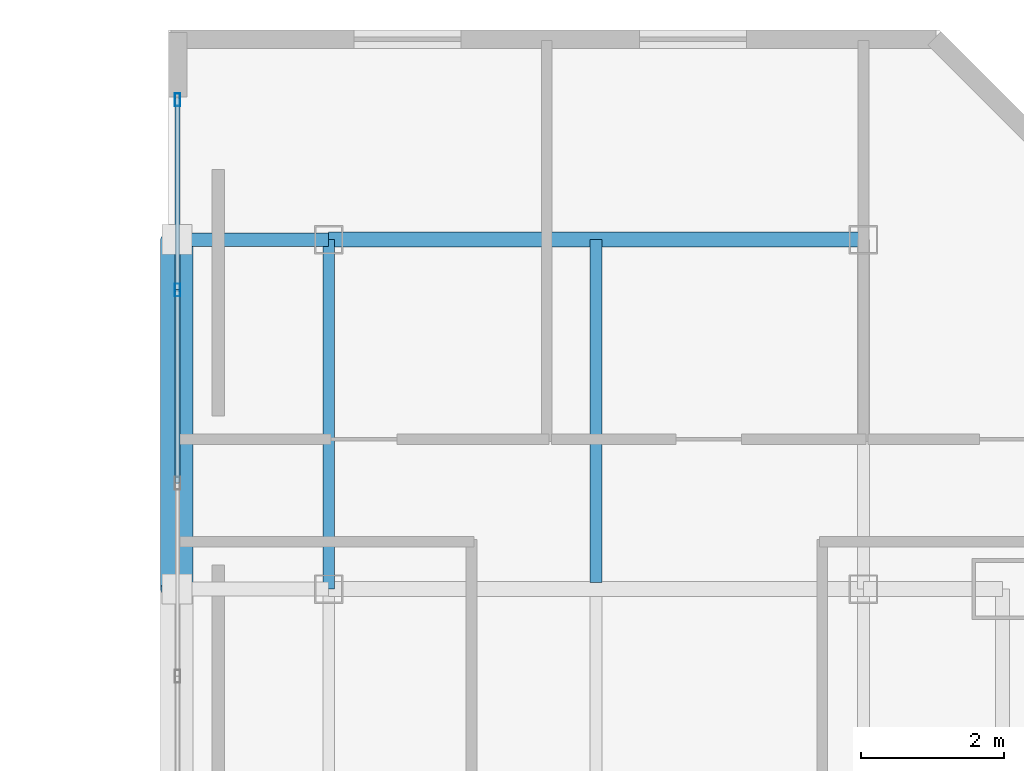
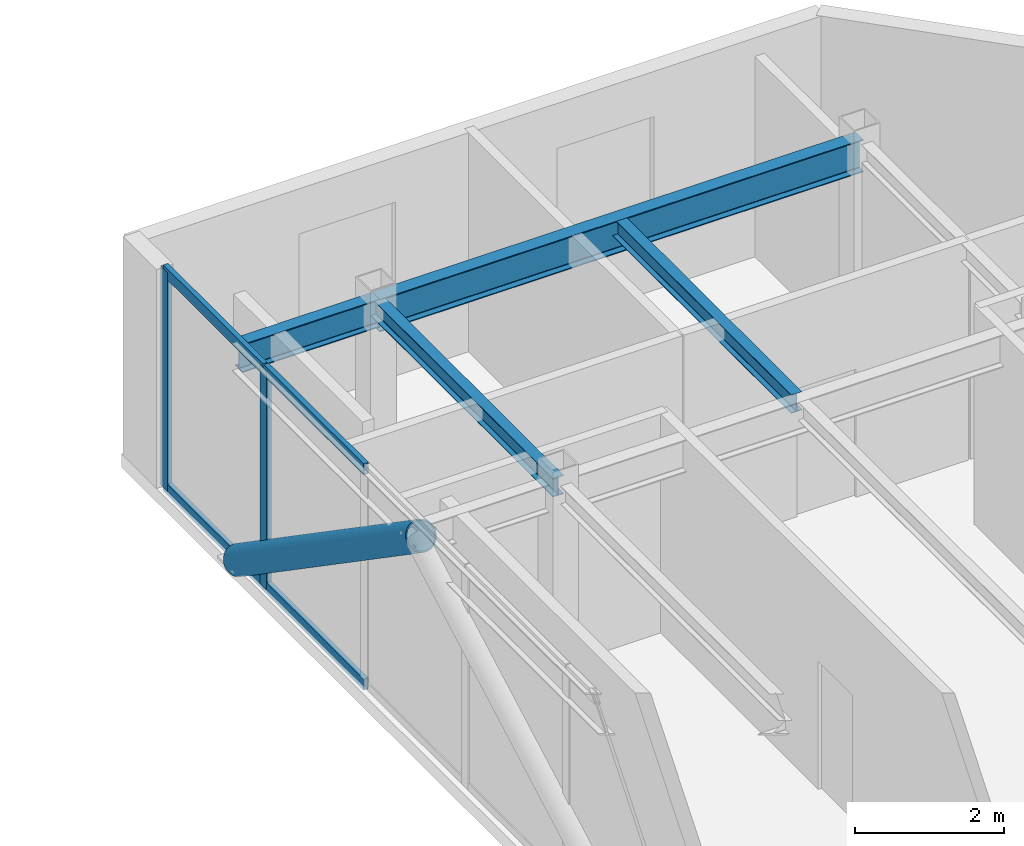
# One storey, part 13 of 19: 7 members, 4 beams, 1 element without a shape of its own.
"""IFC4 building model written with IfcOpenShell, lengths in metres."""

from ifc_helpers import new_model, si_unit, direction, frame, origin, origin_2d, place, context, subcontext, project, spatial, hollow_rectangle, hollow_circle, i_section, extrude, material, material_profile, profile_set, type_object, element, aggregate, save


model = new_model("IFC4")

# Units and contexts
model_context = context("Model", 3, precision=1e-05, world=origin(), true_north=direction((0.0, 1.0)))
body_context = subcontext(model_context, "Body", "Model", "MODEL_VIEW")
ifc_project = project(units=[si_unit("LENGTHUNIT", "METRE"), si_unit("AREAUNIT", "SQUARE_METRE"), si_unit("VOLUMEUNIT", "CUBIC_METRE"), si_unit("PLANEANGLEUNIT", "RADIAN"), si_unit("MASSUNIT", "GRAM", prefix="KILO")], contexts=[model_context])

# Site, building, storey
site_placement = place(None, origin())
site = spatial("IfcSite", under=ifc_project, at=site_placement, CompositionType="ELEMENT")
building_placement = place(site_placement, origin())
building = spatial("IfcBuilding", under=site, at=building_placement, Name="Ventersveld Concourse Tower", CompositionType="ELEMENT")
storey_placement = place(building_placement, frame((0.0, 0.0, 345.199951171875)))
storey = spatial("IfcBuildingStorey", under=building, at=storey_placement, Name="L85", CompositionType="ELEMENT", Elevation=345.199951171875)

# Beams
ifc_material_1 = material(Name="Structural steel S355J2", Category="steel")
ifc_material_profile_1 = material_profile(ifc_material_1, i_section(OverallWidth=0.1650390625, OverallDepth=0.303466796875, WebThickness=0.006103515625, FlangeThickness=0.01025390625, FilletRadius=0.0087890625, at=origin_2d()), Name="UB 305x165x40")
ifc_profile_set_1 = profile_set([ifc_material_profile_1], Name="Structural steel S355J2")
beam_type_1 = type_object("IfcBeamType", Name="BM-UB305", PredefinedType="BEAM", material=ifc_profile_set_1)
beam_1_placement = place(storey_placement, frame((36.25, 23.60009765625, 3.438232421875), z_axis=(0.0, 1.0, 0.0), x_axis=(-1.0, 0.0, 0.0)))
element("IfcBeam", 1, at=beam_1_placement, inside=storey, type_object=beam_type_1, Name="L85 N-S Upper-Zone Floor Beam X=36.25", PredefinedType="BEAM", context=body_context, shape_type="SweptSolid", body=[
    extrude(i_section(OverallWidth=0.1650390625, OverallDepth=0.303466796875, WebThickness=0.006103515625, FlangeThickness=0.01025390625, FilletRadius=0.0087890625, at=origin_2d()), origin(), (0.0, 0.0, 1.0), 4.89990234375),
])
beam_2_placement = place(storey_placement, frame((40.0, 23.695068359375, 3.438232421875), z_axis=(0.0, 1.0, 0.0), x_axis=(-1.0, 0.0, 0.0)))
element("IfcBeam", 2, at=beam_2_placement, inside=storey, type_object=beam_type_1, Name="L85 N-S Upper-Zone Floor Beam X=40.00", PredefinedType="BEAM", context=body_context, shape_type="SweptSolid", body=[
    extrude(i_section(OverallWidth=0.1650390625, OverallDepth=0.303466796875, WebThickness=0.006103515625, FlangeThickness=0.01025390625, FilletRadius=0.0087890625, at=origin_2d()), origin(), (0.0, 0.0, 1.0), 4.804931640625),
])

# Curtain wall, members
ifc_material_2 = material(Name="Anodised aluminium EN AW-6063-T6", Category="aluminium")
curtain_wall_type = type_object("IfcCurtainWallType", Name="CW-WP-5", PredefinedType="NOTDEFINED", material=ifc_material_2)
curtain_wall_placement = place(storey_placement, origin())
curtain_wall = element("IfcCurtainWall", 3, at=curtain_wall_placement, inside=storey, type_object=curtain_wall_type, Name="L85 L85 Wind Portal Aerodynamic Cheek Curtain Wall", PredefinedType="NOTDEFINED")
ifc_material_profile_2 = material_profile(ifc_material_2, hollow_rectangle(XDim=0.074951171875, YDim=0.179931640625, WallThickness=0.00390625, at=origin_2d()), Name="ALU 180x75x4")
ifc_profile_set_2 = profile_set([ifc_material_profile_2], Name="Anodised aluminium EN AW-6063-T6")
member_type_1 = type_object("IfcMemberType", Name="CWM-180x75", PredefinedType="MULLION", material=ifc_profile_set_2)
member_1_placement = place(storey_placement, frame((34.1298828125, 27.793701171875, 0.0), z_axis=(0.0, 0.0, 1.0), x_axis=(1.0, 0.0, 0.0)))
member_1 = element("IfcMember", 4, at=member_1_placement, type_object=member_type_1, Name="CW-L85-WP-E Mullion 06", PredefinedType="MULLION", context=body_context, shape_type="SweptSolid", body=[
    extrude(hollow_rectangle(XDim=0.074951171875, YDim=0.179931640625, WallThickness=0.00390625, at=origin_2d()), origin(), (0.0, 0.0, 1.0), 3.590087890625),
])
member_2_placement = place(storey_placement, frame((34.1298828125, 30.46240234375, 0.0), z_axis=(0.0, 0.0, 1.0), x_axis=(1.0, 0.0, 0.0)))
member_2 = element("IfcMember", 5, at=member_2_placement, type_object=member_type_1, Name="CW-L85-WP-E Mullion 07", PredefinedType="MULLION", context=body_context, shape_type="SweptSolid", body=[
    extrude(hollow_rectangle(XDim=0.074951171875, YDim=0.179931640625, WallThickness=0.00390625, at=origin_2d()), origin(), (0.0, 0.0, 1.0), 3.590087890625),
])
ifc_material_profile_3 = material_profile(ifc_material_2, hollow_rectangle(XDim=0.074951171875, YDim=0.179931640625, WallThickness=0.00390625, at=origin_2d()), Name="ALU 180x75x4")
ifc_profile_set_3 = profile_set([ifc_material_profile_3], Name="Anodised aluminium EN AW-6063-T6")
member_type_2 = type_object("IfcMemberType", Name="CWT-180x75", PredefinedType="USERDEFINED", material=ifc_profile_set_3)
member_3_placement = place(storey_placement, frame((34.1298828125, 25.094970703125, 0.030029296875), z_axis=(0.0, 1.0, 0.0), x_axis=(-1.0, 0.0, 0.0)))
member_3 = element("IfcMember", 6, at=member_3_placement, type_object=member_type_2, Name="CW-L85-WP-E Transom 1-05", ObjectType="TRANSOM", PredefinedType="USERDEFINED", context=body_context, shape_type="SweptSolid", body=[
    extrude(hollow_rectangle(XDim=0.074951171875, YDim=0.179931640625, WallThickness=0.00390625, at=origin_2d()), origin(), (0.0, 0.0, 1.0), 2.688720703125),
])
member_4_placement = place(storey_placement, frame((34.1298828125, 27.8037109375, 0.030029296875), z_axis=(0.0, 1.0, 0.0), x_axis=(-1.0, 0.0, 0.0)))
member_4 = element("IfcMember", 7, at=member_4_placement, type_object=member_type_2, Name="CW-L85-WP-E Transom 1-06", ObjectType="TRANSOM", PredefinedType="USERDEFINED", context=body_context, shape_type="SweptSolid", body=[
    extrude(hollow_rectangle(XDim=0.074951171875, YDim=0.179931640625, WallThickness=0.00390625, at=origin_2d()), origin(), (0.0, 0.0, 1.0), 2.6787109375),
])
member_5_placement = place(storey_placement, frame((34.1298828125, 25.094970703125, 3.56005859375), z_axis=(0.0, 1.0, 0.0), x_axis=(-1.0, 0.0, 0.0)))
member_5 = element("IfcMember", 8, at=member_5_placement, type_object=member_type_2, Name="CW-L85-WP-E Transom 2-05", ObjectType="TRANSOM", PredefinedType="USERDEFINED", context=body_context, shape_type="SweptSolid", body=[
    extrude(hollow_rectangle(XDim=0.074951171875, YDim=0.179931640625, WallThickness=0.00390625, at=origin_2d()), origin(), (0.0, 0.0, 1.0), 2.688720703125),
])
member_6_placement = place(storey_placement, frame((34.1298828125, 27.8037109375, 3.56005859375), z_axis=(0.0, 1.0, 0.0), x_axis=(-1.0, 0.0, 0.0)))
member_6 = element("IfcMember", 9, at=member_6_placement, type_object=member_type_2, Name="CW-L85-WP-E Transom 2-06", ObjectType="TRANSOM", PredefinedType="USERDEFINED", context=body_context, shape_type="SweptSolid", body=[
    extrude(hollow_rectangle(XDim=0.074951171875, YDim=0.179931640625, WallThickness=0.00390625, at=origin_2d()), origin(), (0.0, 0.0, 1.0), 2.6787109375),
])
aggregate(curtain_wall, [member_1, member_2, member_3, member_4, member_5, member_6])

# Beams
ifc_material_profile_4 = material_profile(ifc_material_1, i_section(OverallWidth=0.209228515625, OverallDepth=0.533203125, WebThickness=0.010009765625, FlangeThickness=0.015625, FilletRadius=0.0126953125, at=origin_2d()), Name="UB 533x210x92")
ifc_profile_set_4 = profile_set([ifc_material_profile_4], Name="Structural steel S355J2")
beam_type_2 = type_object("IfcBeamType", Name="GRD-UB533", PredefinedType="T_BEAM", material=ifc_profile_set_4)
beam_3_placement = place(storey_placement, frame((36.25, 28.5, 3.323486328125), z_axis=(1.0, 0.0, 0.0), x_axis=(0.0, 1.0, 0.0)))
element("IfcBeam", 10, at=beam_3_placement, inside=storey, type_object=beam_type_2, Name="L85 North Girder Y=28.50 E", PredefinedType="T_BEAM", context=body_context, shape_type="SweptSolid", body=[
    extrude(i_section(OverallWidth=0.209228515625, OverallDepth=0.533203125, WebThickness=0.010009765625, FlangeThickness=0.015625, FilletRadius=0.0126953125, at=origin_2d()), origin(), (0.0, 0.0, 1.0), 7.5),
])
ifc_material_profile_5 = material_profile(ifc_material_1, i_section(OverallWidth=0.19140625, OverallDepth=0.4599609375, WebThickness=0.010009765625, FlangeThickness=0.01611328125, FilletRadius=0.01025390625, at=origin_2d()), Name="UB 457x191x82")
ifc_profile_set_5 = profile_set([ifc_material_profile_5], Name="Structural steel S355J2")
beam_type_3 = type_object("IfcBeamType", Name="SPD-UB457", PredefinedType="SPANDREL", material=ifc_profile_set_5)
beam_4_placement = place(storey_placement, frame((34.1201171875, 28.5, 3.360107421875), z_axis=(1.0, 0.0, 0.0), x_axis=(0.0, 1.0, 0.0)))
element("IfcBeam", 11, at=beam_4_placement, inside=storey, type_object=beam_type_3, Name="L85 Wind Portal East Tie YN", PredefinedType="SPANDREL", context=body_context, shape_type="SweptSolid", body=[
    extrude(i_section(OverallWidth=0.19140625, OverallDepth=0.4599609375, WebThickness=0.010009765625, FlangeThickness=0.01611328125, FilletRadius=0.01025390625, at=origin_2d()), origin(), (0.0, 0.0, 1.0), 2.1298828125),
])

# Member
ifc_material_3 = material(Name="Structural steel S355ML", Category="steel")
ifc_material_profile_6 = material_profile(ifc_material_3, hollow_circle(Radius=0.228515625, WallThickness=0.02001953125, at=origin_2d()), Name="CHS 457x20")
ifc_profile_set_6 = profile_set([ifc_material_profile_6], Name="Structural steel S355ML")
member_type_3 = type_object("IfcMemberType", Name="STR-WP-457", PredefinedType="STRUT", material=ifc_profile_set_6)
member_7_placement = place(storey_placement, frame((34.1201171875, 28.5, 0.0), z_axis=(0.0, -0.823929312234, 0.566692587248), x_axis=(1.0, 0.0, 0.0)))
element("IfcMember", 12, at=member_7_placement, inside=storey, type_object=member_type_3, Name="L85 Wind Portal Edge Brace Strut E2", PredefinedType="STRUT", context=body_context, shape_type="SweptSolid", body=[
    extrude(hollow_circle(Radius=0.228515625, WallThickness=0.02001953125, at=origin_2d()), origin(), (0.0, 0.0, 1.0), 5.947021484375),
])

save(model, "model.ifc")
